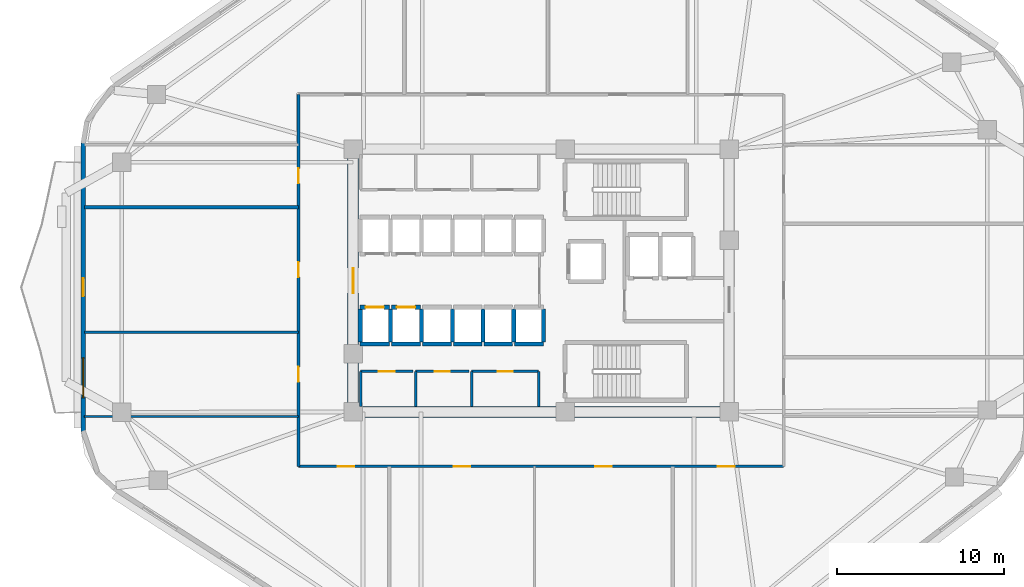
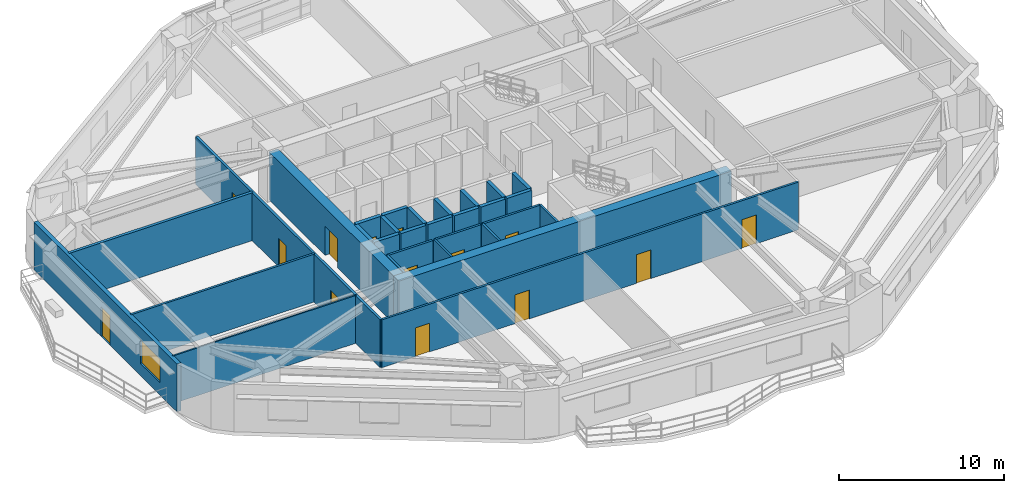
# One storey, part 7 of 13: 30 walls, 14 doors, 1 window, 15 openings.
"""IFC4 building model written with IfcOpenShell, lengths in metres."""

import ifcopenshell
import ifcopenshell.guid

model = None  # the IFC model being written
_history = None  # IfcOwnerHistory: only IFC2X3 demands one
_inside = {}  # id of a spatial element -> (the spatial element, [elements in it])
_under = {}  # id of a project, library or spatial element -> (it, [spatial elements below it])
_declared = {}  # id of a project -> (the project, [libraries it declares])
_typed = {}  # id of a type object -> (the type object, [elements of that type])
_made_of = {}  # id of a material, layer set ... -> (it, [elements and type objects made of it])


def new_model(schema):
    """Start an empty IFC model of exactly this schema.

    Asked for "IFC4X3", IfcOpenShell would pick the latest addendum, in which some entities
    have other attributes; the version numbers below select the first issue.
    IFC2X3 requires an IfcOwnerHistory on every rooted entity: one is made here for all.
    """
    global model, _history
    if schema == "IFC4X3":
        model = ifcopenshell.file(schema_version=(4, 3, 0, 0))
    else:
        model = ifcopenshell.file(schema=schema)
    _inside.clear()
    _under.clear()
    _declared.clear()
    _typed.clear()
    _made_of.clear()
    _history = None
    if model.schema == "IFC2X3":
        org = make("IfcOrganization", Name="unknown")
        user = make(
            "IfcPersonAndOrganization",
            ThePerson=make("IfcPerson", FamilyName="unknown"),
            TheOrganization=org,
        )
        app = make(
            "IfcApplication",
            ApplicationDeveloper=org,
            Version="unknown",
            ApplicationFullName="unknown",
            ApplicationIdentifier="unknown",
        )
        _history = make(
            "IfcOwnerHistory",
            OwningUser=user,
            OwningApplication=app,
            ChangeAction="ADDED",
            CreationDate=0,
        )
    return model


def make(cls, **values):
    """One entity of the class cls with the attributes given. An attribute that is None is left unset."""
    return model.create_entity(
        cls, **{name: value for name, value in values.items() if value is not None}
    )


def rooted(cls, **values):
    """An entity with a GlobalId (a new one), such as an element, a storey or a relation."""
    return make(cls, GlobalId=ifcopenshell.guid.new(), OwnerHistory=_history, **values)


def si_unit(unit_type, name, prefix=None):
    """IfcSIUnit, for example si_unit("LENGTHUNIT", "METRE", prefix="MILLI")."""
    return make("IfcSIUnit", UnitType=unit_type, Prefix=prefix, Name=name)


def assignment(units):
    """IfcUnitAssignment: the units of a project."""
    return None if units is None else make("IfcUnitAssignment", Units=units)


def point(xyz):
    """IfcCartesianPoint."""
    return None if xyz is None else make("IfcCartesianPoint", Coordinates=xyz)


def direction(xyz):
    """IfcDirection."""
    return None if xyz is None else make("IfcDirection", DirectionRatios=xyz)


def frame(location, z_axis=None, x_axis=None):
    """IfcAxis2Placement3D, a coordinate frame: its origin and axes. An axis left out is left unset."""
    return make(
        "IfcAxis2Placement3D",
        Location=point(location),
        Axis=direction(z_axis),
        RefDirection=direction(x_axis),
    )


def frame_2d(location, x_axis=None):
    """IfcAxis2Placement2D, a coordinate frame in the plane: its origin and x axis."""
    return make(
        "IfcAxis2Placement2D", Location=point(location), RefDirection=direction(x_axis)
    )


def origin():
    """The frame at (0, 0, 0) with its axes left unset."""
    return frame((0.0, 0.0, 0.0))


def place(relative_to, where):
    """IfcLocalPlacement: puts the frame where relative to a parent placement (None: the world)."""
    return make(
        "IfcLocalPlacement", PlacementRelTo=relative_to, RelativePlacement=where
    )


def context(
    kind, dimensions, precision=None, world=None, true_north=None, identifier=None
):
    """IfcGeometricRepresentationContext, for example the 3D "Model" context."""
    return make(
        "IfcGeometricRepresentationContext",
        ContextIdentifier=identifier,
        ContextType=kind,
        CoordinateSpaceDimension=dimensions,
        Precision=precision,
        WorldCoordinateSystem=world,
        TrueNorth=true_north,
    )


def subcontext(parent, identifier, kind, view, scale=None):
    """IfcGeometricRepresentationSubContext, for example "Body" below "Model"."""
    return make(
        "IfcGeometricRepresentationSubContext",
        ContextIdentifier=identifier,
        ContextType=kind,
        ParentContext=parent,
        TargetScale=scale,
        TargetView=view,
    )


def project(units=None, contexts=None):
    """IfcProject with its units and contexts."""
    return rooted(
        "IfcProject",
        Name="project",
        RepresentationContexts=contexts,
        UnitsInContext=assignment(units),
    )


def spatial(cls, under=None, at=None, **own):
    """A site, building, storey or space (cls), placed at a placement, below another one or the project."""
    s = rooted(cls, ObjectPlacement=at, **own)
    if under is not None:
        _under.setdefault(under.id(), (under, []))[1].append(s)
    return s


def profile(cls, at=None, kind="AREA", **sizes):
    """A parametric profile (cls). Its sizes go by their IFC names, for example OverallWidth=200.0."""
    return make(cls, ProfileType=kind, Position=at, **sizes)


def rectangle(**sizes):
    """IfcRectangleProfileDef."""
    return profile("IfcRectangleProfileDef", **sizes)


def extrude(swept, where, along, depth):
    """IfcExtrudedAreaSolid: the profile swept, set in the frame where, extruded along a direction by depth."""
    return make(
        "IfcExtrudedAreaSolid",
        SweptArea=swept,
        Position=where,
        ExtrudedDirection=direction(along),
        Depth=depth,
    )


def shape(context_of_items, identifier, shape_type, items):
    """IfcShapeRepresentation: the items that make up one representation, for example the "Body"."""
    return make(
        "IfcShapeRepresentation",
        ContextOfItems=context_of_items,
        RepresentationIdentifier=identifier,
        RepresentationType=shape_type,
        Items=items,
    )


def material(Name=None, Category=None):
    """IfcMaterial."""
    return make("IfcMaterial", Name=Name, Category=Category)


def layer(
    of_material, thickness, ventilated=None, Name=None, Category=None, Priority=None
):
    """IfcMaterialLayer: one layer of a wall or slab, of a material (None: an air gap)."""
    return make(
        "IfcMaterialLayer",
        Material=of_material,
        LayerThickness=thickness,
        IsVentilated=ventilated,
        Name=Name,
        Category=Category,
        Priority=Priority,
    )


def layer_set(layers, Name=None):
    """IfcMaterialLayerSet."""
    return make("IfcMaterialLayerSet", MaterialLayers=layers, LayerSetName=Name)


def made_of(thing, what):
    """Note that an element or type object is made of a material, layer set ...; save() writes the relation."""
    if what is not None:
        _made_of.setdefault(what.id(), (what, []))[1].append(thing)
    return thing


def type_object(cls, material=None, **own):
    """A type object (cls), such as IfcWallType, which elements share."""
    return made_of(rooted(cls, **own), material)


def element(
    cls,
    number,
    at=None,
    inside=None,
    cuts=None,
    type_object=None,
    material=None,
    context=None,
    identifier="Body",
    shape_type=None,
    held_by="IfcProductDefinitionShape",
    body=None,
    shapes=None,
    **own,
):
    """One element of the class cls, such as IfcWall. Its Tag is "e" and its number.

    at: its placement. inside: the storey or other place that contains it. cuts: it is an
    opening in that element (IfcRelVoidsElement). A single representation is given by context,
    identifier, shape_type and body (its items); several are given by shapes. held_by: the class
    of the entity that holds the representations. save() writes the other relations.
    """
    e = rooted(cls, Tag="e%d" % number, ObjectPlacement=at, **own)
    if body is not None:
        shapes = [shape(context, identifier, shape_type, body)]
    if shapes is not None:
        e.Representation = make(held_by, Representations=shapes)
    if inside is not None:
        _inside.setdefault(inside.id(), (inside, []))[1].append(e)
    if cuts is not None:
        rooted(
            "IfcRelVoidsElement", RelatingBuildingElement=cuts, RelatedOpeningElement=e
        )
    if type_object is not None:
        _typed.setdefault(type_object.id(), (type_object, []))[1].append(e)
    return made_of(e, material)


def fill(opening, filler):
    """IfcRelFillsElement: the door or window that sits in an opening."""
    return rooted(
        "IfcRelFillsElement",
        RelatingOpeningElement=opening,
        RelatedBuildingElement=filler,
    )


def aggregate(whole, parts):
    """IfcRelAggregates: a whole, such as a stair, and the parts it consists of."""
    return rooted("IfcRelAggregates", RelatingObject=whole, RelatedObjects=parts)


def save(model, path):
    """Write the relations noted so far, then the file.

    IfcRelAggregates (storeys below a building ...), IfcRelContainedInSpatialStructure (elements
    in a storey), IfcRelDefinesByType, IfcRelAssociatesMaterial and IfcRelDeclares: one each for
    every whole, place, type object, material and project.
    """
    for whole, parts in _under.values():
        aggregate(whole, parts)
    for where, things in _inside.values():
        rooted(
            "IfcRelContainedInSpatialStructure",
            RelatedElements=things,
            RelatingStructure=where,
        )
    for kind, things in _typed.values():
        rooted("IfcRelDefinesByType", RelatedObjects=things, RelatingType=kind)
    for what, things in _made_of.values():
        rooted("IfcRelAssociatesMaterial", RelatedObjects=things, RelatingMaterial=what)
    for by, libraries in _declared.values():
        rooted("IfcRelDeclares", RelatingContext=by, RelatedDefinitions=libraries)
    model.write(path)


model = new_model("IFC4")

# Units and contexts
model_context = context("Model", 3, precision=1e-05, world=origin(), true_north=direction((0.0, 1.0)))
body_context = subcontext(model_context, "Body", "Model", "MODEL_VIEW")
ifc_project = project(units=[si_unit("LENGTHUNIT", "METRE"), si_unit("AREAUNIT", "SQUARE_METRE"), si_unit("VOLUMEUNIT", "CUBIC_METRE"), si_unit("PLANEANGLEUNIT", "RADIAN"), si_unit("MASSUNIT", "GRAM", prefix="KILO")], contexts=[model_context])

# Site, building, storey
site_placement = place(None, origin())
site = spatial("IfcSite", under=ifc_project, at=site_placement, CompositionType="ELEMENT")
building_placement = place(site_placement, origin())
building = spatial("IfcBuilding", under=site, at=building_placement, Name="Zulverin Broadcast Headquarters", CompositionType="ELEMENT")
storey_placement = place(building_placement, frame((0.0, 0.0, 101.0)))
storey = spatial("IfcBuildingStorey", under=building, at=storey_placement, Name="L25", CompositionType="ELEMENT", Elevation=101.0)

# Walls
ifc_material_1 = material(Name="Acoustic drywall steel stud", Category="steel")
ifc_layer_1 = layer(ifc_material_1, 0.199951171875, Name="Acoustic drywall steel stud", Category="steel")
ifc_layer_set_1 = layer_set([ifc_layer_1], Name="Acoustic drywall steel stud")
wall_type_1 = type_object("IfcWallType", Name="WL-ACOU-200", PredefinedType="PARTITIONING", material=ifc_layer_set_1)
wall_1_placement = place(storey_placement, frame((9.60498046875, 29.60009765625, 0.0), z_axis=(0.0, 0.0, 1.0), x_axis=(1.0, 0.0, 0.0)))
element("IfcWall", 1, at=wall_1_placement, inside=storey, type_object=wall_type_1, Name="L25 Room Partition Wall RP-15", PredefinedType="PARTITIONING", context=body_context, shape_type="SweptSolid", body=[
    extrude(rectangle(XDim=12.844970703125, YDim=0.199951171875, at=frame_2d((6.42236328125, 0.0))), origin(), (0.0, 0.0, 1.0), 3.52490234375),
])
ifc_material_2 = material(Name="Concrete C60/75", Category="concrete")
ifc_layer_2 = layer(ifc_material_2, 0.64990234375, Name="Concrete C60/75", Category="concrete")
ifc_layer_set_2 = layer_set([ifc_layer_2], Name="Concrete C60/75")
wall_type_2 = type_object("IfcWallType", Name="WL-CORE-650", PredefinedType="SHEAR", material=ifc_layer_set_2)
wall_2_placement = place(storey_placement, frame((25.39990234375, 17.324951171875, 0.0), z_axis=(0.0, 0.0, 1.0), x_axis=(1.0, 0.0, 0.0)))
element("IfcWall", 2, at=wall_2_placement, inside=storey, type_object=wall_type_2, Name="L25 Core South Shear Wall", PredefinedType="SHEAR", context=body_context, shape_type="SweptSolid", body=[
    extrude(rectangle(XDim=23.2001953125, YDim=0.64990234375, at=frame_2d((11.60009765625, 0.0))), origin(), (0.0, 0.0, 1.0), 3.52490234375),
])

# Wall, opening, door
wall_3_placement = place(storey_placement, frame((25.72509765625, 17.64990234375, 0.0), z_axis=(0.0, 0.0, 1.0), x_axis=(0.0, 1.0, 0.0)))
wall_3 = element("IfcWall", 3, at=wall_3_placement, inside=storey, type_object=wall_type_2, Name="L25 Core West Shear Wall", PredefinedType="SHEAR", context=body_context, shape_type="SweptSolid", body=[
    extrude(rectangle(XDim=15.10009765625, YDim=0.64990234375, at=frame_2d((7.550048828125, 0.0))), origin(), (0.0, 0.0, 1.0), 3.52490234375),
])
opening_1_placement = place(wall_3_placement, frame((6.800048828125, 0.0, 0.0)))
opening_1 = element("IfcOpeningElement", 4, at=opening_1_placement, cuts=wall_3, Name="Opening D-L25-CW1", PredefinedType="OPENING", context=body_context, shape_type="SweptSolid", body=[
    extrude(rectangle(XDim=1.5, YDim=2.14990234375, at=frame_2d((0.75, 1.074951171875))), frame((0.0, 0.3349609375, 0.0), z_axis=(0.0, -1.0, 0.0), x_axis=(1.0, 0.0, 0.0)), (0.0, 0.0, 1.0), 0.669921875),
])
ifc_material_3 = material(Name="Fire-rated glazed steel frame", Category="steel")
door_type_1 = type_object("IfcDoorType", Name="DR-COR-1500", OperationType="DOUBLE_DOOR_SINGLE_SWING", PredefinedType="DOOR", material=ifc_material_3)
door_1_placement = place(opening_1_placement, origin())
door_1 = element("IfcDoor", 5, at=door_1_placement, inside=storey, type_object=door_type_1, Name="L25 Central Lift Lobby West Portal Door", OperationType="DOUBLE_DOOR_SINGLE_SWING", OverallHeight=2.14990234375, OverallWidth=1.5, PredefinedType="DOOR", context=body_context, shape_type="SweptSolid", body=[
    extrude(rectangle(XDim=1.5, YDim=2.14990234375, at=frame_2d((0.75, 1.074951171875))), frame((0.0, 0.02490234375, 0.0), z_axis=(0.0, -1.0, 0.0), x_axis=(1.0, 0.0, 0.0)), (0.0, 0.0, 1.0), 0.050048828125),
])
fill(opening_1, door_1)

# Wall, openings, door, window
ifc_material_4 = material(Name="Insulated pale-metal clad concrete spandrel C40/50", Category="concrete")
ifc_layer_3 = layer(ifc_material_4, 0.280029296875, Name="Insulated pale-metal clad concrete spandrel C40/50", Category="concrete")
ifc_layer_set_3 = layer_set([ifc_layer_3], Name="Insulated pale-metal clad concrete spandrel C40/50")
wall_type_3 = type_object("IfcWallType", Name="WL-EXT-280", PredefinedType="STANDARD", material=ifc_layer_set_3)
wall_4_placement = place(storey_placement, frame((9.5400390625, 33.4443359375, 0.0), z_axis=(0.0, 0.0, 1.0), x_axis=(0.0, -1.0, 0.0)))
wall_4 = element("IfcWall", 6, at=wall_4_placement, inside=storey, type_object=wall_type_3, Name="L25 Pale-Metal Clad Spandrel Wall 7", PredefinedType="STANDARD", context=body_context, shape_type="SweptSolid", body=[
    extrude(rectangle(XDim=17.30078125, YDim=0.280029296875, at=frame_2d((8.650390625, 0.0))), origin(), (0.0, 0.0, 1.0), 3.52490234375),
])
opening_2_placement = place(wall_4_placement, frame((8.100341796875, 0.0, 0.0)))
opening_2 = element("IfcOpeningElement", 7, at=opening_2_placement, cuts=wall_4, Name="Opening D-L25-TR7", PredefinedType="OPENING", context=body_context, shape_type="SweptSolid", body=[
    extrude(rectangle(XDim=1.10009765625, YDim=2.199951171875, at=frame_2d((0.550048828125, 1.10009765625))), frame((0.0, 0.14990234375, 0.0), z_axis=(0.0, -1.0, 0.0), x_axis=(1.0, 0.0, 0.0)), (0.0, 0.0, 1.0), 0.300048828125),
])
opening_3_placement = place(wall_4_placement, frame((12.884033203125, 0.0, 0.89990234375)))
opening_3 = element("IfcOpeningElement", 8, at=opening_3_placement, cuts=wall_4, Name="Opening W-L25-E71", PredefinedType="OPENING", context=body_context, shape_type="SweptSolid", body=[
    extrude(rectangle(XDim=2.39990234375, YDim=1.75, at=frame_2d((1.199951171875, 0.875))), frame((0.0, 0.14990234375, 0.0), z_axis=(0.0, -1.0, 0.0), x_axis=(1.0, 0.0, 0.0)), (0.0, 0.0, 1.0), 0.300048828125),
])
ifc_material_5 = material(Name="Thermally broken aluminium glazed", Category="aluminium")
door_type_2 = type_object("IfcDoorType", Name="DR-TERR-1100", OperationType="SINGLE_SWING_RIGHT", PredefinedType="DOOR", material=ifc_material_5)
door_2_placement = place(opening_2_placement, origin())
door_2 = element("IfcDoor", 9, at=door_2_placement, inside=storey, type_object=door_type_2, Name="L25 Planted Terrace Glazed Access Door 7", OperationType="SINGLE_SWING_RIGHT", OverallHeight=2.199951171875, OverallWidth=1.10009765625, PredefinedType="DOOR", context=body_context, shape_type="SweptSolid", body=[
    extrude(rectangle(XDim=1.10009765625, YDim=2.199951171875, at=frame_2d((0.550048828125, 1.10009765625))), frame((0.0, 0.02490234375, 0.0), z_axis=(0.0, -1.0, 0.0), x_axis=(1.0, 0.0, 0.0)), (0.0, 0.0, 1.0), 0.050048828125),
])
fill(opening_2, door_2)
ifc_material_6 = material(Name="Pale anodized aluminium frame with solar-control low-E double glazing", Category="aluminium")
window_type = type_object("IfcWindowType", Name="WIN-RIB-2400", PartitioningType="SINGLE_PANEL", PredefinedType="WINDOW", material=ifc_material_6)
window_placement = place(opening_3_placement, origin())
window = element("IfcWindow", 10, at=window_placement, inside=storey, type_object=window_type, Name="L25 Ribbon Glazing Window 7 1", OverallHeight=1.75, OverallWidth=2.39990234375, PartitioningType="SINGLE_PANEL", PredefinedType="WINDOW", context=body_context, shape_type="SweptSolid", body=[
    extrude(rectangle(XDim=2.39990234375, YDim=1.75, at=frame_2d((1.199951171875, 0.875))), frame((0.0, 0.030029296875, 0.0), z_axis=(0.0, -1.0, 0.0), x_axis=(1.0, 0.0, 0.0)), (0.0, 0.0, 1.0), 0.06005859375),
])
fill(opening_3, window)

# Wall
ifc_material_7 = material(Name="Fire-rated acoustic laminated glass screen", Category="glass")
ifc_layer_4 = layer(ifc_material_7, 0.10009765625, Name="Fire-rated acoustic laminated glass screen", Category="glass")
ifc_layer_set_4 = layer_set([ifc_layer_4], Name="Fire-rated acoustic laminated glass screen")
wall_type_4 = type_object("IfcWallType", Name="WL-GLAZ-100", PredefinedType="PARTITIONING", material=ifc_layer_set_4)
wall_5_placement = place(storey_placement, frame((9.60498046875, 17.050048828125, 0.0), z_axis=(0.0, 0.0, 1.0), x_axis=(1.0, 0.0, 0.0)))
element("IfcWall", 11, at=wall_5_placement, inside=storey, type_object=wall_type_4, Name="L25 Room Partition Wall RP-10", PredefinedType="PARTITIONING", context=body_context, shape_type="SweptSolid", body=[
    extrude(rectangle(XDim=12.844970703125, YDim=0.10009765625, at=frame_2d((6.42236328125, 0.0))), origin(), (0.0, 0.0, 1.0), 3.52490234375),
])

# Wall, opening, door
ifc_material_8 = material(Name="Fire-rated gypsum stud partition", Category="gypsum")
ifc_layer_5 = layer(ifc_material_8, 0.14990234375, Name="Fire-rated gypsum stud partition", Category="gypsum")
ifc_layer_set_5 = layer_set([ifc_layer_5], Name="Fire-rated gypsum stud partition")
wall_type_5 = type_object("IfcWallType", Name="WL-PART-150", PredefinedType="PARTITIONING", material=ifc_layer_set_5)
wall_6_placement = place(storey_placement, frame((26.169921875, 19.75, 0.0), z_axis=(0.0, 0.0, 1.0), x_axis=(1.0, 0.0, 0.0)))
wall_6 = element("IfcWall", 12, at=wall_6_placement, inside=storey, type_object=wall_type_5, Name="L25 Core Female WC Front Wall", PredefinedType="PARTITIONING", context=body_context, shape_type="SweptSolid", body=[
    extrude(rectangle(XDim=3.150146484375, YDim=0.14990234375, at=frame_2d((1.5751953125, 0.0))), origin(), (0.0, 0.0, 1.0), 3.52490234375),
])
opening_4_placement = place(wall_6_placement, frame((1.10009765625, 0.0, 0.0)))
opening_4 = element("IfcOpeningElement", 13, at=opening_4_placement, cuts=wall_6, Name="Opening D-L25-SC1", PredefinedType="OPENING", context=body_context, shape_type="SweptSolid", body=[
    extrude(rectangle(XDim=0.949951171875, YDim=2.10009765625, at=frame_2d((0.47509765625, 1.050048828125))), frame((0.0, 0.0849609375, 0.0), z_axis=(0.0, -1.0, 0.0), x_axis=(1.0, 0.0, 0.0)), (0.0, 0.0, 1.0), 0.169921875),
])
ifc_material_9 = material(Name="Fire-rated moisture-resistant laminate leaf", Category="wood")
door_type_3 = type_object("IfcDoorType", Name="DR-WC-950", OperationType="SINGLE_SWING_LEFT", PredefinedType="DOOR", material=ifc_material_9)
door_3_placement = place(opening_4_placement, origin())
door_3 = element("IfcDoor", 14, at=door_3_placement, inside=storey, type_object=door_type_3, Name="L25 Female WC Door", OperationType="SINGLE_SWING_RIGHT", OverallHeight=2.10009765625, OverallWidth=0.949951171875, PredefinedType="DOOR", context=body_context, shape_type="SweptSolid", body=[
    extrude(rectangle(XDim=0.949951171875, YDim=2.10009765625, at=frame_2d((0.47509765625, 1.050048828125))), frame((0.0, 0.02490234375, 0.0), z_axis=(0.0, -1.0, 0.0), x_axis=(1.0, 0.0, 0.0)), (0.0, 0.0, 1.0), 0.050048828125),
])
fill(opening_4, door_3)

# Wall
wall_7_placement = place(storey_placement, frame((26.169921875, 17.64990234375, 0.0), z_axis=(0.0, 0.0, 1.0), x_axis=(0.0, 1.0, 0.0)))
element("IfcWall", 15, at=wall_7_placement, inside=storey, type_object=wall_type_5, Name="L25 Core Female WC West Wall", PredefinedType="PARTITIONING", context=body_context, shape_type="SweptSolid", body=[
    extrude(rectangle(XDim=2.10009765625, YDim=0.14990234375, at=frame_2d((1.050048828125, 0.0))), origin(), (0.0, 0.0, 1.0), 3.52490234375),
])

# Wall, opening, door
wall_8_placement = place(storey_placement, frame((29.47998046875, 19.75, 0.0), z_axis=(0.0, 0.0, 1.0), x_axis=(1.0, 0.0, 0.0)))
wall_8 = element("IfcWall", 16, at=wall_8_placement, inside=storey, type_object=wall_type_5, Name="L25 Core Cleaner Store Front Wall", PredefinedType="PARTITIONING", context=body_context, shape_type="SweptSolid", body=[
    extrude(rectangle(XDim=3.18994140625, YDim=0.14990234375, at=frame_2d((1.594970703125, 0.0))), origin(), (0.0, 0.0, 1.0), 3.52490234375),
])
opening_5_placement = place(wall_8_placement, frame((1.14501953125, 0.0, 0.0)))
opening_5 = element("IfcOpeningElement", 17, at=opening_5_placement, cuts=wall_8, Name="Opening D-L25-SC2", PredefinedType="OPENING", context=body_context, shape_type="SweptSolid", body=[
    extrude(rectangle(XDim=0.89990234375, YDim=2.10009765625, at=frame_2d((0.449951171875, 1.050048828125))), frame((0.0, 0.0849609375, 0.0), z_axis=(0.0, -1.0, 0.0), x_axis=(1.0, 0.0, 0.0)), (0.0, 0.0, 1.0), 0.169921875),
])
ifc_material_10 = material(Name="Powder-coated steel access leaf", Category="steel")
door_type_4 = type_object("IfcDoorType", Name="DR-RISER-900", OperationType="SINGLE_SWING_LEFT", PredefinedType="DOOR", material=ifc_material_10)
door_4_placement = place(opening_5_placement, origin())
door_4 = element("IfcDoor", 18, at=door_4_placement, inside=storey, type_object=door_type_4, Name="L25 Cleaner Store Door", OperationType="SINGLE_SWING_LEFT", OverallHeight=2.10009765625, OverallWidth=0.89990234375, PredefinedType="DOOR", context=body_context, shape_type="SweptSolid", body=[
    extrude(rectangle(XDim=0.89990234375, YDim=2.10009765625, at=frame_2d((0.449951171875, 1.050048828125))), frame((0.0, 0.02490234375, 0.0), z_axis=(0.0, -1.0, 0.0), x_axis=(1.0, 0.0, 0.0)), (0.0, 0.0, 1.0), 0.050048828125),
])
fill(opening_5, door_4)

# Wall
wall_9_placement = place(storey_placement, frame((29.47998046875, 17.64990234375, 0.0), z_axis=(0.0, 0.0, 1.0), x_axis=(0.0, 1.0, 0.0)))
element("IfcWall", 19, at=wall_9_placement, inside=storey, type_object=wall_type_5, Name="L25 Core Cleaner Store West Wall", PredefinedType="PARTITIONING", context=body_context, shape_type="SweptSolid", body=[
    extrude(rectangle(XDim=2.10009765625, YDim=0.14990234375, at=frame_2d((1.050048828125, 0.0))), origin(), (0.0, 0.0, 1.0), 3.52490234375),
])

# Wall, opening, door
wall_10_placement = place(storey_placement, frame((32.830078125, 19.75, 0.0), z_axis=(0.0, 0.0, 1.0), x_axis=(1.0, 0.0, 0.0)))
wall_10 = element("IfcWall", 20, at=wall_10_placement, inside=storey, type_object=wall_type_5, Name="L25 Core Broadcast Fibre Riser Front Wall", PredefinedType="PARTITIONING", context=body_context, shape_type="SweptSolid", body=[
    extrude(rectangle(XDim=4.02001953125, YDim=0.14990234375, at=frame_2d((2.010009765625, 0.0))), origin(), (0.0, 0.0, 1.0), 3.52490234375),
])
opening_6_placement = place(wall_10_placement, frame((1.56005859375, 0.0, 0.0)))
opening_6 = element("IfcOpeningElement", 21, at=opening_6_placement, cuts=wall_10, Name="Opening D-L25-SC3", PredefinedType="OPENING", context=body_context, shape_type="SweptSolid", body=[
    extrude(rectangle(XDim=0.89990234375, YDim=2.10009765625, at=frame_2d((0.449951171875, 1.050048828125))), frame((0.0, 0.0849609375, 0.0), z_axis=(0.0, -1.0, 0.0), x_axis=(1.0, 0.0, 0.0)), (0.0, 0.0, 1.0), 0.169921875),
])
door_5_placement = place(opening_6_placement, origin())
door_5 = element("IfcDoor", 22, at=door_5_placement, inside=storey, type_object=door_type_4, Name="L25 Broadcast Fibre Riser Door", OperationType="SINGLE_SWING_RIGHT", OverallHeight=2.10009765625, OverallWidth=0.89990234375, PredefinedType="DOOR", context=body_context, shape_type="SweptSolid", body=[
    extrude(rectangle(XDim=0.89990234375, YDim=2.10009765625, at=frame_2d((0.449951171875, 1.050048828125))), frame((0.0, 0.02490234375, 0.0), z_axis=(0.0, -1.0, 0.0), x_axis=(1.0, 0.0, 0.0)), (0.0, 0.0, 1.0), 0.050048828125),
])
fill(opening_6, door_5)

# Walls
for number, where, z_axis, x_axis, name in (
    (23, (32.830078125, 17.64990234375, 0.0), (0.0, 0.0, 1.0), (0.0, 1.0, 0.0), "L25 Core Broadcast Fibre Riser West Wall"),
    (24, (36.85009765625, 17.64990234375, 0.0), (0.0, 0.0, 1.0), (0.0, 1.0, 0.0), "L25 Core Broadcast Fibre Riser East Wall"),
):
    element("IfcWall", number, at=place(storey_placement, frame(where, z_axis=z_axis, x_axis=x_axis)), inside=storey, type_object=wall_type_5, Name=name, PredefinedType="PARTITIONING", context=body_context, shape_type="SweptSolid", body=[
        extrude(rectangle(XDim=2.10009765625, YDim=0.14990234375, at=frame_2d((1.050048828125, 0.0))), origin(), (0.0, 0.0, 1.0), 3.52490234375),
    ])

# Wall, openings, doors
wall_11_placement = place(storey_placement, frame((22.449951171875, 14.050048828125, 0.0), z_axis=(0.0, 0.0, 1.0), x_axis=(1.0, 0.0, 0.0)))
wall_11 = element("IfcWall", 25, at=wall_11_placement, inside=storey, type_object=wall_type_5, Name="L25 Gallery Partition Wall CG-09", PredefinedType="PARTITIONING", context=body_context, shape_type="SweptSolid", body=[
    extrude(rectangle(XDim=29.10009765625, YDim=0.14990234375, at=frame_2d((14.550048828125, 0.0))), origin(), (0.0, 0.0, 1.0), 3.52490234375),
])
opening_7_placement = place(wall_11_placement, frame((2.344970703125, 0.0, 0.0)))
opening_7 = element("IfcOpeningElement", 26, at=opening_7_placement, cuts=wall_11, Name="Opening D-L25-05", PredefinedType="OPENING", context=body_context, shape_type="SweptSolid", body=[
    extrude(rectangle(XDim=1.0, YDim=2.1201171875, at=frame_2d((0.5, 1.06005859375))), frame((0.0, 0.0849609375, 0.0), z_axis=(0.0, -1.0, 0.0), x_axis=(1.0, 0.0, 0.0)), (0.0, 0.0, 1.0), 0.169921875),
])
opening_8_placement = place(wall_11_placement, frame((9.300048828125, 0.0, 0.0)))
opening_8 = element("IfcOpeningElement", 27, at=opening_8_placement, cuts=wall_11, Name="Opening D-L25-06", PredefinedType="OPENING", context=body_context, shape_type="SweptSolid", body=[
    extrude(rectangle(XDim=1.0, YDim=2.1201171875, at=frame_2d((0.5, 1.06005859375))), frame((0.0, 0.0849609375, 0.0), z_axis=(0.0, -1.0, 0.0), x_axis=(1.0, 0.0, 0.0)), (0.0, 0.0, 1.0), 0.169921875),
])
opening_9_placement = place(wall_11_placement, frame((17.800048828125, 0.0, 0.0)))
opening_9 = element("IfcOpeningElement", 28, at=opening_9_placement, cuts=wall_11, Name="Opening D-L25-07", PredefinedType="OPENING", context=body_context, shape_type="SweptSolid", body=[
    extrude(rectangle(XDim=1.0, YDim=2.1201171875, at=frame_2d((0.5, 1.06005859375))), frame((0.0, 0.0849609375, 0.0), z_axis=(0.0, -1.0, 0.0), x_axis=(1.0, 0.0, 0.0)), (0.0, 0.0, 1.0), 0.169921875),
])
opening_10_placement = place(wall_11_placement, frame((25.155029296875, 0.0, 0.0)))
opening_10 = element("IfcOpeningElement", 29, at=opening_10_placement, cuts=wall_11, Name="Opening D-L25-08", PredefinedType="OPENING", context=body_context, shape_type="SweptSolid", body=[
    extrude(rectangle(XDim=1.0, YDim=2.1201171875, at=frame_2d((0.5, 1.06005859375))), frame((0.0, 0.0849609375, 0.0), z_axis=(0.0, -1.0, 0.0), x_axis=(1.0, 0.0, 0.0)), (0.0, 0.0, 1.0), 0.169921875),
])
ifc_material_11 = material(Name="Hardwood veneer acoustic leaf", Category="wood")
door_type_5 = type_object("IfcDoorType", Name="DR-OFF-1000", OperationType="SINGLE_SWING_LEFT", PredefinedType="DOOR", material=ifc_material_11)
door_6_placement = place(opening_7_placement, origin())
door_6 = element("IfcDoor", 30, at=door_6_placement, inside=storey, type_object=door_type_5, Name="L25 Admin Office Door", OperationType="SINGLE_SWING_RIGHT", OverallHeight=2.1201171875, OverallWidth=1.0, PredefinedType="DOOR", context=body_context, shape_type="SweptSolid", body=[
    extrude(rectangle(XDim=1.0, YDim=2.1201171875, at=frame_2d((0.5, 1.06005859375))), frame((0.0, 0.02490234375, 0.0), z_axis=(0.0, -1.0, 0.0), x_axis=(1.0, 0.0, 0.0)), (0.0, 0.0, 1.0), 0.050048828125),
])
fill(opening_7, door_6)
door_7_placement = place(opening_8_placement, origin())
door_7 = element("IfcDoor", 31, at=door_7_placement, inside=storey, type_object=door_type_5, Name="L25 Scheduling Office Door", OperationType="SINGLE_SWING_LEFT", OverallHeight=2.1201171875, OverallWidth=1.0, PredefinedType="DOOR", context=body_context, shape_type="SweptSolid", body=[
    extrude(rectangle(XDim=1.0, YDim=2.1201171875, at=frame_2d((0.5, 1.06005859375))), frame((0.0, 0.02490234375, 0.0), z_axis=(0.0, -1.0, 0.0), x_axis=(1.0, 0.0, 0.0)), (0.0, 0.0, 1.0), 0.050048828125),
])
fill(opening_8, door_7)
door_8_placement = place(opening_9_placement, origin())
door_8 = element("IfcDoor", 32, at=door_8_placement, inside=storey, type_object=door_type_5, Name="L25 Desk Office Door", OperationType="SINGLE_SWING_RIGHT", OverallHeight=2.1201171875, OverallWidth=1.0, PredefinedType="DOOR", context=body_context, shape_type="SweptSolid", body=[
    extrude(rectangle(XDim=1.0, YDim=2.1201171875, at=frame_2d((0.5, 1.06005859375))), frame((0.0, 0.02490234375, 0.0), z_axis=(0.0, -1.0, 0.0), x_axis=(1.0, 0.0, 0.0)), (0.0, 0.0, 1.0), 0.050048828125),
])
fill(opening_9, door_8)
door_9_placement = place(opening_10_placement, origin())
door_9 = element("IfcDoor", 33, at=door_9_placement, inside=storey, type_object=door_type_5, Name="L25 Wire Office Door", OperationType="SINGLE_SWING_LEFT", OverallHeight=2.1201171875, OverallWidth=1.0, PredefinedType="DOOR", context=body_context, shape_type="SweptSolid", body=[
    extrude(rectangle(XDim=1.0, YDim=2.1201171875, at=frame_2d((0.5, 1.06005859375))), frame((0.0, 0.02490234375, 0.0), z_axis=(0.0, -1.0, 0.0), x_axis=(1.0, 0.0, 0.0)), (0.0, 0.0, 1.0), 0.050048828125),
])
fill(opening_10, door_9)

# Wall
wall_12_placement = place(storey_placement, frame((9.60498046875, 22.10009765625, 0.0), z_axis=(0.0, 0.0, 1.0), x_axis=(1.0, 0.0, 0.0)))
element("IfcWall", 34, at=wall_12_placement, inside=storey, type_object=wall_type_5, Name="L25 Room Partition Wall RP-13", PredefinedType="PARTITIONING", context=body_context, shape_type="SweptSolid", body=[
    extrude(rectangle(XDim=12.844970703125, YDim=0.14990234375, at=frame_2d((6.42236328125, 0.0))), origin(), (0.0, 0.0, 1.0), 3.52490234375),
])

# Wall, openings, doors
ifc_material_12 = material(Name="Fire-rated acoustic stud wall", Category="gypsum")
ifc_layer_6 = layer(ifc_material_12, 0.175048828125, Name="Fire-rated acoustic stud wall", Category="gypsum")
ifc_layer_set_6 = layer_set([ifc_layer_6], Name="Fire-rated acoustic stud wall")
wall_type_6 = type_object("IfcWallType", Name="WL-PART-175", PredefinedType="PARTITIONING", material=ifc_layer_set_6)
wall_13_placement = place(storey_placement, frame((22.449951171875, 14.050048828125, 0.0), z_axis=(0.0, 0.0, 1.0), x_axis=(0.0, 1.0, 0.0)))
wall_13 = element("IfcWall", 35, at=wall_13_placement, inside=storey, type_object=wall_type_6, Name="L25 Gallery Partition Wall CG-08", PredefinedType="PARTITIONING", context=body_context, shape_type="SweptSolid", body=[
    extrude(rectangle(XDim=22.300048828125, YDim=0.175048828125, at=frame_2d((11.14990234375, 0.0))), origin(), (0.0, 0.0, 1.0), 3.52490234375),
])
opening_11_placement = place(wall_13_placement, frame((5.074951171875, 0.0, 0.0)))
opening_11 = element("IfcOpeningElement", 36, at=opening_11_placement, cuts=wall_13, Name="Opening D-L25-09", PredefinedType="OPENING", context=body_context, shape_type="SweptSolid", body=[
    extrude(rectangle(XDim=0.89990234375, YDim=2.10009765625, at=frame_2d((0.449951171875, 1.050048828125))), frame((0.0, 0.097412109375, 0.0), z_axis=(0.0, -1.0, 0.0), x_axis=(1.0, 0.0, 0.0)), (0.0, 0.0, 1.0), 0.195068359375),
])
opening_12_placement = place(wall_13_placement, frame((11.35009765625, 0.0, 0.0)))
opening_12 = element("IfcOpeningElement", 37, at=opening_12_placement, cuts=wall_13, Name="Opening D-L25-10", PredefinedType="OPENING", context=body_context, shape_type="SweptSolid", body=[
    extrude(rectangle(XDim=0.89990234375, YDim=2.10009765625, at=frame_2d((0.449951171875, 1.050048828125))), frame((0.0, 0.097412109375, 0.0), z_axis=(0.0, -1.0, 0.0), x_axis=(1.0, 0.0, 0.0)), (0.0, 0.0, 1.0), 0.195068359375),
])
opening_13_placement = place(wall_13_placement, frame((16.97509765625, 0.0, 0.0)))
opening_13 = element("IfcOpeningElement", 38, at=opening_13_placement, cuts=wall_13, Name="Opening D-L25-11", PredefinedType="OPENING", context=body_context, shape_type="SweptSolid", body=[
    extrude(rectangle(XDim=0.89990234375, YDim=2.10009765625, at=frame_2d((0.449951171875, 1.050048828125))), frame((0.0, 0.097412109375, 0.0), z_axis=(0.0, -1.0, 0.0), x_axis=(1.0, 0.0, 0.0)), (0.0, 0.0, 1.0), 0.195068359375),
])
ifc_material_13 = material(Name="Fire-rated hardwood veneer timber leaf", Category="wood")
door_type_6 = type_object("IfcDoorType", Name="DR-ROOM-900", OperationType="SINGLE_SWING_RIGHT", PredefinedType="DOOR", material=ifc_material_13)
door_10_placement = place(opening_11_placement, origin())
door_10 = element("IfcDoor", 39, at=door_10_placement, inside=storey, type_object=door_type_6, Name="L25 Production Meeting Room Door", OperationType="SINGLE_SWING_RIGHT", OverallHeight=2.10009765625, OverallWidth=0.89990234375, PredefinedType="DOOR", context=body_context, shape_type="SweptSolid", body=[
    extrude(rectangle(XDim=0.89990234375, YDim=2.10009765625, at=frame_2d((0.449951171875, 1.050048828125))), frame((0.0, 0.02490234375, 0.0), z_axis=(0.0, -1.0, 0.0), x_axis=(1.0, 0.0, 0.0)), (0.0, 0.0, 1.0), 0.050048828125),
])
fill(opening_11, door_10)
door_11_placement = place(opening_12_placement, origin())
door_11 = element("IfcDoor", 40, at=door_11_placement, inside=storey, type_object=door_type_6, Name="L25 Briefing Room Door", OperationType="SINGLE_SWING_LEFT", OverallHeight=2.10009765625, OverallWidth=0.89990234375, PredefinedType="DOOR", context=body_context, shape_type="SweptSolid", body=[
    extrude(rectangle(XDim=0.89990234375, YDim=2.10009765625, at=frame_2d((0.449951171875, 1.050048828125))), frame((0.0, 0.02490234375, 0.0), z_axis=(0.0, -1.0, 0.0), x_axis=(1.0, 0.0, 0.0)), (0.0, 0.0, 1.0), 0.050048828125),
])
fill(opening_12, door_11)
door_12_placement = place(opening_13_placement, origin())
door_12 = element("IfcDoor", 41, at=door_12_placement, inside=storey, type_object=door_type_6, Name="L25 Refreshment Pantry Door", OperationType="SINGLE_SWING_RIGHT", OverallHeight=2.10009765625, OverallWidth=0.89990234375, PredefinedType="DOOR", context=body_context, shape_type="SweptSolid", body=[
    extrude(rectangle(XDim=0.89990234375, YDim=2.10009765625, at=frame_2d((0.449951171875, 1.050048828125))), frame((0.0, 0.02490234375, 0.0), z_axis=(0.0, -1.0, 0.0), x_axis=(1.0, 0.0, 0.0)), (0.0, 0.0, 1.0), 0.050048828125),
])
fill(opening_13, door_12)

# Wall
ifc_material_14 = material(Name="Concrete C50/60", Category="concrete")
ifc_layer_7 = layer(ifc_material_14, 0.25, Name="Concrete C50/60", Category="concrete")
ifc_layer_set_7 = layer_set([ifc_layer_7], Name="Concrete C50/60")
wall_type_7 = type_object("IfcWallType", Name="WL-SHAFT-250", PredefinedType="SHEAR", material=ifc_layer_set_7)
wall_14_placement = place(storey_placement, frame((26.14990234375, 21.39990234375, 0.0), z_axis=(0.0, 0.0, 1.0), x_axis=(1.0, 0.0, 0.0)))
element("IfcWall", 42, at=wall_14_placement, inside=storey, type_object=wall_type_7, Name="L25 Lift PL-L3 Shaft Wall S", PredefinedType="SHEAR", context=body_context, shape_type="SweptSolid", body=[
    extrude(rectangle(XDim=1.75, YDim=0.25, at=frame_2d((0.875, 0.0))), origin(), (0.0, 0.0, 1.0), 3.52490234375),
])

# Wall, opening, door
wall_15_placement = place(storey_placement, frame((26.14990234375, 23.60009765625, 0.0), z_axis=(0.0, 0.0, 1.0), x_axis=(1.0, 0.0, 0.0)))
wall_15 = element("IfcWall", 43, at=wall_15_placement, inside=storey, type_object=wall_type_7, Name="L25 Lift PL-L3 Shaft Wall N", PredefinedType="SHEAR", context=body_context, shape_type="SweptSolid", body=[
    extrude(rectangle(XDim=1.75, YDim=0.25, at=frame_2d((0.875, 0.0))), origin(), (0.0, 0.0, 1.0), 3.52490234375),
])
opening_14_placement = place(wall_15_placement, frame((0.324951171875, 0.0, 0.0)))
opening_14 = element("IfcOpeningElement", 44, at=opening_14_placement, cuts=wall_15, Name="Opening LD-PL-L3-L25", PredefinedType="OPENING", context=body_context, shape_type="SweptSolid", body=[
    extrude(rectangle(XDim=1.10009765625, YDim=2.14990234375, at=frame_2d((0.550048828125, 1.074951171875))), frame((0.0, 0.135009765625, 0.0), z_axis=(0.0, -1.0, 0.0), x_axis=(1.0, 0.0, 0.0)), (0.0, 0.0, 1.0), 0.27001953125),
])
ifc_material_15 = material(Name="Brushed stainless steel landing", Category="steel")
door_type_7 = type_object("IfcDoorType", Name="LD-PASS-1100", OperationType="DOUBLE_DOOR_SLIDING", PredefinedType="DOOR", material=ifc_material_15)
door_13_placement = place(opening_14_placement, origin())
door_13 = element("IfcDoor", 45, at=door_13_placement, inside=storey, type_object=door_type_7, Name="L25 Lift PL-L3 Sliding Landing Door", OperationType="DOUBLE_DOOR_SLIDING", OverallHeight=2.14990234375, OverallWidth=1.10009765625, PredefinedType="DOOR", context=body_context, shape_type="SweptSolid", body=[
    extrude(rectangle(XDim=1.10009765625, YDim=2.14990234375, at=frame_2d((0.550048828125, 1.074951171875))), frame((0.0, 0.02490234375, 0.0), z_axis=(0.0, -1.0, 0.0), x_axis=(1.0, 0.0, 0.0)), (0.0, 0.0, 1.0), 0.050048828125),
])
fill(opening_14, door_13)

# Walls
for number, where, z_axis, x_axis, name in (
    (46, (26.14990234375, 21.52001953125, 0.0), (0.0, 0.0, 1.0), (0.0, 1.0, 0.0), "L25 Lift PL-L3 Shaft Wall W"),
    (47, (27.9599609375, 21.52001953125, 0.0), (0.0, 0.0, 1.0), (0.0, 1.0, 0.0), "L25 Lift PL-L3 Shaft Wall E"),
):
    element("IfcWall", number, at=place(storey_placement, frame(where, z_axis=z_axis, x_axis=x_axis)), inside=storey, type_object=wall_type_7, Name=name, PredefinedType="SHEAR", context=body_context, shape_type="SweptSolid", body=[
        extrude(rectangle(XDim=1.9599609375, YDim=0.25, at=frame_2d((0.97998046875, 0.0))), origin(), (0.0, 0.0, 1.0), 3.52490234375),
    ])
wall_16_placement = place(storey_placement, frame((28.02001953125, 21.39990234375, 0.0), z_axis=(0.0, 0.0, 1.0), x_axis=(1.0, 0.0, 0.0)))
element("IfcWall", 48, at=wall_16_placement, inside=storey, type_object=wall_type_7, Name="L25 Lift PL-L4 Shaft Wall S", PredefinedType="SHEAR", context=body_context, shape_type="SweptSolid", body=[
    extrude(rectangle(XDim=1.75, YDim=0.25, at=frame_2d((0.875, 0.0))), origin(), (0.0, 0.0, 1.0), 3.52490234375),
])

# Wall, opening, door
wall_17_placement = place(storey_placement, frame((28.02001953125, 23.60009765625, 0.0), z_axis=(0.0, 0.0, 1.0), x_axis=(1.0, 0.0, 0.0)))
wall_17 = element("IfcWall", 49, at=wall_17_placement, inside=storey, type_object=wall_type_7, Name="L25 Lift PL-L4 Shaft Wall N", PredefinedType="SHEAR", context=body_context, shape_type="SweptSolid", body=[
    extrude(rectangle(XDim=1.75, YDim=0.25, at=frame_2d((0.875, 0.0))), origin(), (0.0, 0.0, 1.0), 3.52490234375),
])
opening_15_placement = place(wall_17_placement, frame((0.324951171875, 0.0, 0.0)))
opening_15 = element("IfcOpeningElement", 50, at=opening_15_placement, cuts=wall_17, Name="Opening LD-PL-L4-L25", PredefinedType="OPENING", context=body_context, shape_type="SweptSolid", body=[
    extrude(rectangle(XDim=1.10009765625, YDim=2.14990234375, at=frame_2d((0.550048828125, 1.074951171875))), frame((0.0, 0.135009765625, 0.0), z_axis=(0.0, -1.0, 0.0), x_axis=(1.0, 0.0, 0.0)), (0.0, 0.0, 1.0), 0.27001953125),
])
door_14_placement = place(opening_15_placement, origin())
door_14 = element("IfcDoor", 51, at=door_14_placement, inside=storey, type_object=door_type_7, Name="L25 Lift PL-L4 Sliding Landing Door", OperationType="DOUBLE_DOOR_SLIDING", OverallHeight=2.14990234375, OverallWidth=1.10009765625, PredefinedType="DOOR", context=body_context, shape_type="SweptSolid", body=[
    extrude(rectangle(XDim=1.10009765625, YDim=2.14990234375, at=frame_2d((0.550048828125, 1.074951171875))), frame((0.0, 0.02490234375, 0.0), z_axis=(0.0, -1.0, 0.0), x_axis=(1.0, 0.0, 0.0)), (0.0, 0.0, 1.0), 0.050048828125),
])
fill(opening_15, door_14)

# Walls
wall_18_placement = place(storey_placement, frame((29.8349609375, 21.52001953125, 0.0), z_axis=(0.0, 0.0, 1.0), x_axis=(0.0, 1.0, 0.0)))
element("IfcWall", 52, at=wall_18_placement, inside=storey, type_object=wall_type_7, Name="L25 Lift PL-L4 Shaft Wall E", PredefinedType="SHEAR", context=body_context, shape_type="SweptSolid", body=[
    extrude(rectangle(XDim=1.9599609375, YDim=0.25, at=frame_2d((0.97998046875, 0.0))), origin(), (0.0, 0.0, 1.0), 3.52490234375),
])
wall_19_placement = place(storey_placement, frame((29.89990234375, 21.39990234375, 0.0), z_axis=(0.0, 0.0, 1.0), x_axis=(1.0, 0.0, 0.0)))
element("IfcWall", 53, at=wall_19_placement, inside=storey, type_object=wall_type_7, Name="L25 Lift PL-M1 Shaft Wall S", PredefinedType="SHEAR", context=body_context, shape_type="SweptSolid", body=[
    extrude(rectangle(XDim=1.72021484375, YDim=0.25, at=frame_2d((0.860107421875, 0.0))), origin(), (0.0, 0.0, 1.0), 3.52490234375),
])
wall_20_placement = place(storey_placement, frame((31.679931640625, 21.52001953125, 0.0), z_axis=(0.0, 0.0, 1.0), x_axis=(0.0, 1.0, 0.0)))
element("IfcWall", 54, at=wall_20_placement, inside=storey, type_object=wall_type_7, Name="L25 Lift PL-M1 Shaft Wall E", PredefinedType="SHEAR", context=body_context, shape_type="SweptSolid", body=[
    extrude(rectangle(XDim=1.9599609375, YDim=0.25, at=frame_2d((0.97998046875, 0.0))), origin(), (0.0, 0.0, 1.0), 3.52490234375),
])
wall_21_placement = place(storey_placement, frame((31.739990234375, 21.39990234375, 0.0), z_axis=(0.0, 0.0, 1.0), x_axis=(1.0, 0.0, 0.0)))
element("IfcWall", 55, at=wall_21_placement, inside=storey, type_object=wall_type_7, Name="L25 Lift PL-M2 Shaft Wall S", PredefinedType="SHEAR", context=body_context, shape_type="SweptSolid", body=[
    extrude(rectangle(XDim=1.719970703125, YDim=0.25, at=frame_2d((0.85986328125, 0.0))), origin(), (0.0, 0.0, 1.0), 3.52490234375),
])
wall_22_placement = place(storey_placement, frame((33.52001953125, 21.52001953125, 0.0), z_axis=(0.0, 0.0, 1.0), x_axis=(0.0, 1.0, 0.0)))
element("IfcWall", 56, at=wall_22_placement, inside=storey, type_object=wall_type_7, Name="L25 Lift PL-M2 Shaft Wall E", PredefinedType="SHEAR", context=body_context, shape_type="SweptSolid", body=[
    extrude(rectangle(XDim=1.9599609375, YDim=0.25, at=frame_2d((0.97998046875, 0.0))), origin(), (0.0, 0.0, 1.0), 3.52490234375),
])
wall_23_placement = place(storey_placement, frame((33.580078125, 21.39990234375, 0.0), z_axis=(0.0, 0.0, 1.0), x_axis=(1.0, 0.0, 0.0)))
element("IfcWall", 57, at=wall_23_placement, inside=storey, type_object=wall_type_7, Name="L25 Lift PL-M3 Shaft Wall S", PredefinedType="SHEAR", context=body_context, shape_type="SweptSolid", body=[
    extrude(rectangle(XDim=1.719970703125, YDim=0.25, at=frame_2d((0.85986328125, 0.0))), origin(), (0.0, 0.0, 1.0), 3.52490234375),
])
wall_24_placement = place(storey_placement, frame((35.360107421875, 21.52001953125, 0.0), z_axis=(0.0, 0.0, 1.0), x_axis=(0.0, 1.0, 0.0)))
element("IfcWall", 58, at=wall_24_placement, inside=storey, type_object=wall_type_7, Name="L25 Lift PL-M3 Shaft Wall E", PredefinedType="SHEAR", context=body_context, shape_type="SweptSolid", body=[
    extrude(rectangle(XDim=1.9599609375, YDim=0.25, at=frame_2d((0.97998046875, 0.0))), origin(), (0.0, 0.0, 1.0), 3.52490234375),
])
wall_25_placement = place(storey_placement, frame((35.419921875, 21.39990234375, 0.0), z_axis=(0.0, 0.0, 1.0), x_axis=(1.0, 0.0, 0.0)))
element("IfcWall", 59, at=wall_25_placement, inside=storey, type_object=wall_type_7, Name="L25 Lift PL-M4 Shaft Wall S", PredefinedType="SHEAR", context=body_context, shape_type="SweptSolid", body=[
    extrude(rectangle(XDim=1.719970703125, YDim=0.25, at=frame_2d((0.85986328125, 0.0))), origin(), (0.0, 0.0, 1.0), 3.52490234375),
])
wall_26_placement = place(storey_placement, frame((37.139892578125, 21.52001953125, 0.0), z_axis=(0.0, 0.0, 1.0), x_axis=(0.0, 1.0, 0.0)))
element("IfcWall", 60, at=wall_26_placement, inside=storey, type_object=wall_type_7, Name="L25 Lift PL-M4 Shaft Wall E", PredefinedType="SHEAR", context=body_context, shape_type="SweptSolid", body=[
    extrude(rectangle(XDim=1.9599609375, YDim=0.25, at=frame_2d((0.97998046875, 0.0))), origin(), (0.0, 0.0, 1.0), 3.52490234375),
])

save(model, "model.ifc")
